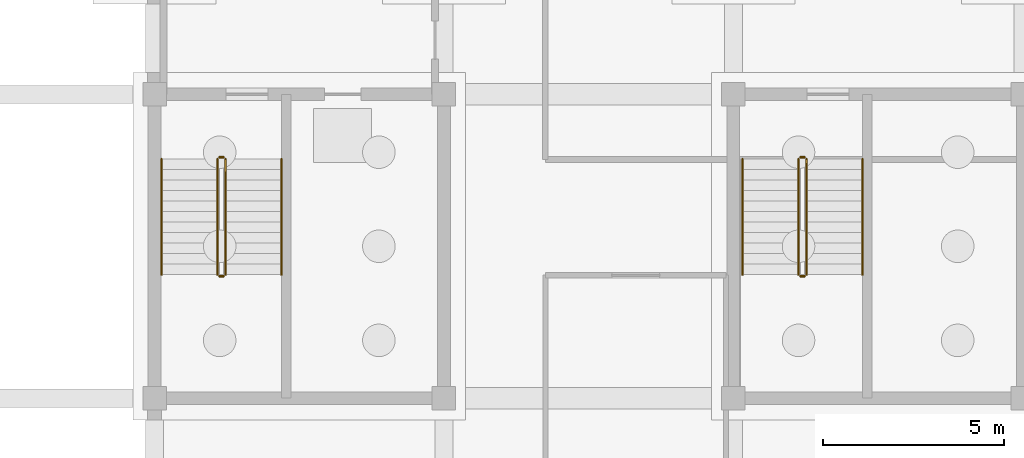
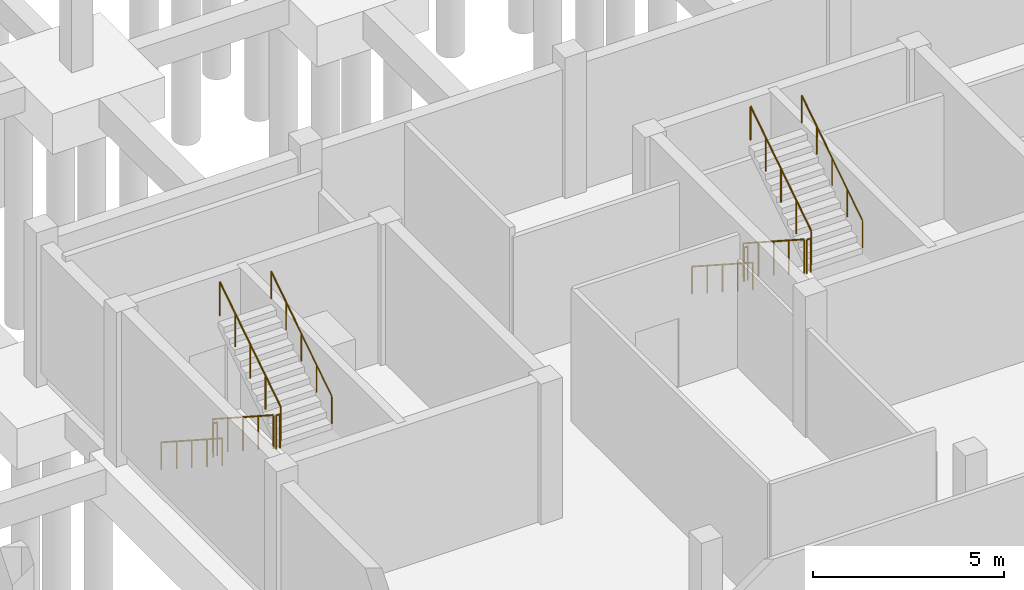
# One storey, part 18 of 22: 12 railings.
"""IFC4 building model written with IfcOpenShell, lengths in metres."""

from ifc_helpers import new_model, si_unit, direction, frame, origin, origin_2d, place, context, subcontext, project, spatial, circle, extrude, material, type_object, element, save


model = new_model("IFC4")

# Units and contexts
model_context = context("Model", 3, precision=1e-05, world=origin(), true_north=direction((0.0, 1.0)))
body_context = subcontext(model_context, "Body", "Model", "MODEL_VIEW")
ifc_project = project(units=[si_unit("LENGTHUNIT", "METRE"), si_unit("AREAUNIT", "SQUARE_METRE"), si_unit("VOLUMEUNIT", "CUBIC_METRE"), si_unit("PLANEANGLEUNIT", "RADIAN"), si_unit("MASSUNIT", "GRAM", prefix="KILO")], contexts=[model_context])

# Site, building, storey
site_placement = place(None, origin())
site = spatial("IfcSite", under=ifc_project, at=site_placement, CompositionType="ELEMENT")
building_placement = place(site_placement, origin())
building = spatial("IfcBuilding", under=site, at=building_placement, Name="Vharandega Faculty of Natural Sciences", CompositionType="ELEMENT")
storey_placement = place(building_placement, frame((0.0, 0.0, -4.5)))
storey = spatial("IfcBuildingStorey", under=building, at=storey_placement, Name="B01", CompositionType="ELEMENT", Elevation=-4.5)

# Railings
ifc_material_1 = material(Name="Brushed stainless steel handrail", Category="steel")
railing_type_1 = type_object("IfcRailingType", Name="Stair Tubular Handrail 900", PredefinedType="HANDRAIL", material=ifc_material_1)
railing_1_placement = place(storey_placement, frame((8.18994140625, 79.010009765625, 0.1875)))
element("IfcRailing", 1, at=railing_1_placement, inside=storey, type_object=railing_type_1, Name="B01 ST4 stair handrail 1", PredefinedType="HANDRAIL", context=body_context, shape_type="SweptSolid", body=[
    extrude(circle(Radius=0.02392578125, at=origin_2d()), frame((0.0, 0.0, 0.8759765625), z_axis=(0.0, -0.839759782654, 0.542958108362), x_axis=(1.0, 0.0, 0.0)), (0.0, 0.0, 1.0), 3.798583984375),
    extrude(circle(Radius=0.02099609375, at=origin_2d()), origin(), (0.0, 0.0, 1.0), 0.851806640625),
    extrude(circle(Radius=0.02099609375, at=origin_2d()), frame((0.0, -0.79736328125, 0.515625)), (0.0, 0.0, 1.0), 0.851806640625),
    extrude(circle(Radius=0.02099609375, at=origin_2d()), frame((0.0, -1.594970703125, 1.03125)), (0.0, 0.0, 1.0), 0.851806640625),
    extrude(circle(Radius=0.02099609375, at=origin_2d()), frame((0.0, -2.392578125, 1.546875)), (0.0, 0.0, 1.0), 0.851806640625),
    extrude(circle(Radius=0.02099609375, at=origin_2d()), frame((0.0, -3.18994140625, 2.0625)), (0.0, 0.0, 1.0), 0.851806640625),
])
railing_2_placement = place(storey_placement, frame((11.510009765625, 75.820068359375, 2.4375)))
element("IfcRailing", 2, at=railing_2_placement, inside=storey, type_object=railing_type_1, Name="B01 ST4 stair handrail 2", PredefinedType="HANDRAIL", context=body_context, shape_type="SweptSolid", body=[
    extrude(circle(Radius=0.02392578125, at=origin_2d()), frame((0.0, 0.0, 0.8759765625), z_axis=(0.0, 0.839759782654, 0.542958108362), x_axis=(-1.0, 0.0, 0.0)), (0.0, 0.0, 1.0), 3.798583984375),
    extrude(circle(Radius=0.02099609375, at=origin_2d()), origin(), (0.0, 0.0, 1.0), 0.851806640625),
    extrude(circle(Radius=0.02099609375, at=origin_2d()), frame((0.0, 0.79736328125, 0.515625)), (0.0, 0.0, 1.0), 0.851806640625),
    extrude(circle(Radius=0.02099609375, at=origin_2d()), frame((0.0, 1.594970703125, 1.03125)), (0.0, 0.0, 1.0), 0.851806640625),
    extrude(circle(Radius=0.02099609375, at=origin_2d()), frame((0.0, 2.392578125, 1.546875)), (0.0, 0.0, 1.0), 0.851806640625),
    extrude(circle(Radius=0.02099609375, at=origin_2d()), frame((0.0, 3.18994140625, 2.0625)), (0.0, 0.0, 1.0), 0.851806640625),
])
railing_3_placement = place(storey_placement, frame((24.25, 79.010009765625, 0.1875)))
element("IfcRailing", 3, at=railing_3_placement, inside=storey, type_object=railing_type_1, Name="B01 ST6 stair handrail 1", PredefinedType="HANDRAIL", context=body_context, shape_type="SweptSolid", body=[
    extrude(circle(Radius=0.02392578125, at=origin_2d()), frame((0.0, 0.0, 0.8759765625), z_axis=(0.0, -0.839759782654, 0.542958108362), x_axis=(1.0, 0.0, 0.0)), (0.0, 0.0, 1.0), 3.798583984375),
    extrude(circle(Radius=0.02099609375, at=origin_2d()), origin(), (0.0, 0.0, 1.0), 0.851806640625),
    extrude(circle(Radius=0.02099609375, at=origin_2d()), frame((0.0, -0.79736328125, 0.515625)), (0.0, 0.0, 1.0), 0.851806640625),
    extrude(circle(Radius=0.02099609375, at=origin_2d()), frame((0.0, -1.594970703125, 1.03125)), (0.0, 0.0, 1.0), 0.851806640625),
    extrude(circle(Radius=0.02099609375, at=origin_2d()), frame((0.0, -2.392578125, 1.546875)), (0.0, 0.0, 1.0), 0.851806640625),
    extrude(circle(Radius=0.02099609375, at=origin_2d()), frame((0.0, -3.18994140625, 2.0625)), (0.0, 0.0, 1.0), 0.851806640625),
])
railing_4_placement = place(storey_placement, frame((27.570068359375, 75.820068359375, 2.4375)))
element("IfcRailing", 4, at=railing_4_placement, inside=storey, type_object=railing_type_1, Name="B01 ST6 stair handrail 2", PredefinedType="HANDRAIL", context=body_context, shape_type="SweptSolid", body=[
    extrude(circle(Radius=0.02392578125, at=origin_2d()), frame((0.0, 0.0, 0.8759765625), z_axis=(0.0, 0.839759782654, 0.542958108362), x_axis=(-1.0, 0.0, 0.0)), (0.0, 0.0, 1.0), 3.798583984375),
    extrude(circle(Radius=0.02099609375, at=origin_2d()), origin(), (0.0, 0.0, 1.0), 0.851806640625),
    extrude(circle(Radius=0.02099609375, at=origin_2d()), frame((0.0, 0.79736328125, 0.515625)), (0.0, 0.0, 1.0), 0.851806640625),
    extrude(circle(Radius=0.02099609375, at=origin_2d()), frame((0.0, 1.594970703125, 1.03125)), (0.0, 0.0, 1.0), 0.851806640625),
    extrude(circle(Radius=0.02099609375, at=origin_2d()), frame((0.0, 2.392578125, 1.546875)), (0.0, 0.0, 1.0), 0.851806640625),
    extrude(circle(Radius=0.02099609375, at=origin_2d()), frame((0.0, 3.18994140625, 2.0625)), (0.0, 0.0, 1.0), 0.851806640625),
])
ifc_material_2 = material(Name="Painted steel stair guardrail", Category="steel")
railing_type_2 = type_object("IfcRailingType", Name="Stairwell Steel Guardrail 1100", PredefinedType="GUARDRAIL", material=ifc_material_2)
railing_5_placement = place(storey_placement, frame((9.739990234375, 79.010009765625, 0.1875)))
element("IfcRailing", 5, at=railing_5_placement, inside=storey, type_object=railing_type_2, Name="B01 ST4 stair guard 1", PredefinedType="GUARDRAIL", context=body_context, shape_type="SweptSolid", body=[
    extrude(circle(Radius=0.02392578125, at=origin_2d()), frame((0.0, 0.0, 1.076171875), z_axis=(0.0, -0.839759782654, 0.542958108362), x_axis=(1.0, 0.0, 0.0)), (0.0, 0.0, 1.0), 3.798583984375),
    extrude(circle(Radius=0.02099609375, at=origin_2d()), origin(), (0.0, 0.0, 1.0), 1.052001953125),
    extrude(circle(Radius=0.02099609375, at=origin_2d()), frame((0.0, -0.79736328125, 0.515625)), (0.0, 0.0, 1.0), 1.052001953125),
    extrude(circle(Radius=0.02099609375, at=origin_2d()), frame((0.0, -1.594970703125, 1.03125)), (0.0, 0.0, 1.0), 1.052001953125),
    extrude(circle(Radius=0.02099609375, at=origin_2d()), frame((0.0, -2.392578125, 1.546875)), (0.0, 0.0, 1.0), 1.052001953125),
    extrude(circle(Radius=0.02099609375, at=origin_2d()), frame((0.0, -3.18994140625, 2.0625)), (0.0, 0.0, 1.0), 1.052001953125),
])
railing_6_placement = place(storey_placement, frame((9.7900390625, 75.77001953125, 2.25)))
element("IfcRailing", 6, at=railing_6_placement, inside=storey, type_object=railing_type_2, Name="B01 ST4 stair guard 2", PredefinedType="GUARDRAIL", context=body_context, shape_type="SweptSolid", body=[
    extrude(circle(Radius=0.02392578125, at=origin_2d()), frame((0.0, 0.0, 1.076171875), z_axis=(1.0, 0.0, 0.0), x_axis=(0.0, 1.0, 0.0)), (0.0, 0.0, 1.0), 0.119873046875),
    extrude(circle(Radius=0.02099609375, at=origin_2d()), origin(), (0.0, 0.0, 1.0), 1.052001953125),
    extrude(circle(Radius=0.02099609375, at=origin_2d()), frame((0.119873046875, 0.0, 0.0)), (0.0, 0.0, 1.0), 1.052001953125),
])
railing_7_placement = place(storey_placement, frame((9.9599609375, 75.820068359375, 2.4375)))
element("IfcRailing", 7, at=railing_7_placement, inside=storey, type_object=railing_type_2, Name="B01 ST4 stair guard 3", PredefinedType="GUARDRAIL", context=body_context, shape_type="SweptSolid", body=[
    extrude(circle(Radius=0.02392578125, at=origin_2d()), frame((0.0, 0.0, 1.076171875), z_axis=(0.0, 0.839759782654, 0.542958108362), x_axis=(-1.0, 0.0, 0.0)), (0.0, 0.0, 1.0), 3.798583984375),
    extrude(circle(Radius=0.02099609375, at=origin_2d()), origin(), (0.0, 0.0, 1.0), 1.052001953125),
    extrude(circle(Radius=0.02099609375, at=origin_2d()), frame((0.0, 0.79736328125, 0.515625)), (0.0, 0.0, 1.0), 1.052001953125),
    extrude(circle(Radius=0.02099609375, at=origin_2d()), frame((0.0, 1.594970703125, 1.03125)), (0.0, 0.0, 1.0), 1.052001953125),
    extrude(circle(Radius=0.02099609375, at=origin_2d()), frame((0.0, 2.392578125, 1.546875)), (0.0, 0.0, 1.0), 1.052001953125),
    extrude(circle(Radius=0.02099609375, at=origin_2d()), frame((0.0, 3.18994140625, 2.0625)), (0.0, 0.0, 1.0), 1.052001953125),
])
railing_8_placement = place(storey_placement, frame((9.7900390625, 79.06005859375, 0.0)))
element("IfcRailing", 8, at=railing_8_placement, inside=storey, type_object=railing_type_2, Name="B01 ST4 stair guard 4", PredefinedType="GUARDRAIL", context=body_context, shape_type="SweptSolid", body=[
    extrude(circle(Radius=0.02392578125, at=origin_2d()), frame((0.0, 0.0, 1.076171875), z_axis=(1.0, 0.0, 0.0), x_axis=(0.0, 1.0, 0.0)), (0.0, 0.0, 1.0), 0.119873046875),
    extrude(circle(Radius=0.02099609375, at=origin_2d()), origin(), (0.0, 0.0, 1.0), 1.052001953125),
    extrude(circle(Radius=0.02099609375, at=origin_2d()), frame((0.119873046875, 0.0, 0.0)), (0.0, 0.0, 1.0), 1.052001953125),
])
railing_9_placement = place(storey_placement, frame((25.800048828125, 79.010009765625, 0.1875)))
element("IfcRailing", 9, at=railing_9_placement, inside=storey, type_object=railing_type_2, Name="B01 ST6 stair guard 1", PredefinedType="GUARDRAIL", context=body_context, shape_type="SweptSolid", body=[
    extrude(circle(Radius=0.02392578125, at=origin_2d()), frame((0.0, 0.0, 1.076171875), z_axis=(0.0, -0.839759782654, 0.542958108362), x_axis=(1.0, 0.0, 0.0)), (0.0, 0.0, 1.0), 3.798583984375),
    extrude(circle(Radius=0.02099609375, at=origin_2d()), origin(), (0.0, 0.0, 1.0), 1.052001953125),
    extrude(circle(Radius=0.02099609375, at=origin_2d()), frame((0.0, -0.79736328125, 0.515625)), (0.0, 0.0, 1.0), 1.052001953125),
    extrude(circle(Radius=0.02099609375, at=origin_2d()), frame((0.0, -1.594970703125, 1.03125)), (0.0, 0.0, 1.0), 1.052001953125),
    extrude(circle(Radius=0.02099609375, at=origin_2d()), frame((0.0, -2.392578125, 1.546875)), (0.0, 0.0, 1.0), 1.052001953125),
    extrude(circle(Radius=0.02099609375, at=origin_2d()), frame((0.0, -3.18994140625, 2.0625)), (0.0, 0.0, 1.0), 1.052001953125),
])
railing_10_placement = place(storey_placement, frame((25.85009765625, 75.77001953125, 2.25)))
element("IfcRailing", 10, at=railing_10_placement, inside=storey, type_object=railing_type_2, Name="B01 ST6 stair guard 2", PredefinedType="GUARDRAIL", context=body_context, shape_type="SweptSolid", body=[
    extrude(circle(Radius=0.02392578125, at=origin_2d()), frame((0.0, 0.0, 1.076171875), z_axis=(1.0, 0.0, 0.0), x_axis=(0.0, 1.0, 0.0)), (0.0, 0.0, 1.0), 0.119873046875),
    extrude(circle(Radius=0.02099609375, at=origin_2d()), origin(), (0.0, 0.0, 1.0), 1.052001953125),
    extrude(circle(Radius=0.02099609375, at=origin_2d()), frame((0.119873046875, 0.0, 0.0)), (0.0, 0.0, 1.0), 1.052001953125),
])
railing_11_placement = place(storey_placement, frame((26.02001953125, 75.820068359375, 2.4375)))
element("IfcRailing", 11, at=railing_11_placement, inside=storey, type_object=railing_type_2, Name="B01 ST6 stair guard 3", PredefinedType="GUARDRAIL", context=body_context, shape_type="SweptSolid", body=[
    extrude(circle(Radius=0.02392578125, at=origin_2d()), frame((0.0, 0.0, 1.076171875), z_axis=(0.0, 0.839759782654, 0.542958108362), x_axis=(-1.0, 0.0, 0.0)), (0.0, 0.0, 1.0), 3.798583984375),
    extrude(circle(Radius=0.02099609375, at=origin_2d()), origin(), (0.0, 0.0, 1.0), 1.052001953125),
    extrude(circle(Radius=0.02099609375, at=origin_2d()), frame((0.0, 0.79736328125, 0.515625)), (0.0, 0.0, 1.0), 1.052001953125),
    extrude(circle(Radius=0.02099609375, at=origin_2d()), frame((0.0, 1.594970703125, 1.03125)), (0.0, 0.0, 1.0), 1.052001953125),
    extrude(circle(Radius=0.02099609375, at=origin_2d()), frame((0.0, 2.392578125, 1.546875)), (0.0, 0.0, 1.0), 1.052001953125),
    extrude(circle(Radius=0.02099609375, at=origin_2d()), frame((0.0, 3.18994140625, 2.0625)), (0.0, 0.0, 1.0), 1.052001953125),
])
railing_12_placement = place(storey_placement, frame((25.85009765625, 79.06005859375, 0.0)))
element("IfcRailing", 12, at=railing_12_placement, inside=storey, type_object=railing_type_2, Name="B01 ST6 stair guard 4", PredefinedType="GUARDRAIL", context=body_context, shape_type="SweptSolid", body=[
    extrude(circle(Radius=0.02392578125, at=origin_2d()), frame((0.0, 0.0, 1.076171875), z_axis=(1.0, 0.0, 0.0), x_axis=(0.0, 1.0, 0.0)), (0.0, 0.0, 1.0), 0.119873046875),
    extrude(circle(Radius=0.02099609375, at=origin_2d()), origin(), (0.0, 0.0, 1.0), 1.052001953125),
    extrude(circle(Radius=0.02099609375, at=origin_2d()), frame((0.119873046875, 0.0, 0.0)), (0.0, 0.0, 1.0), 1.052001953125),
])

save(model, "model.ifc")
